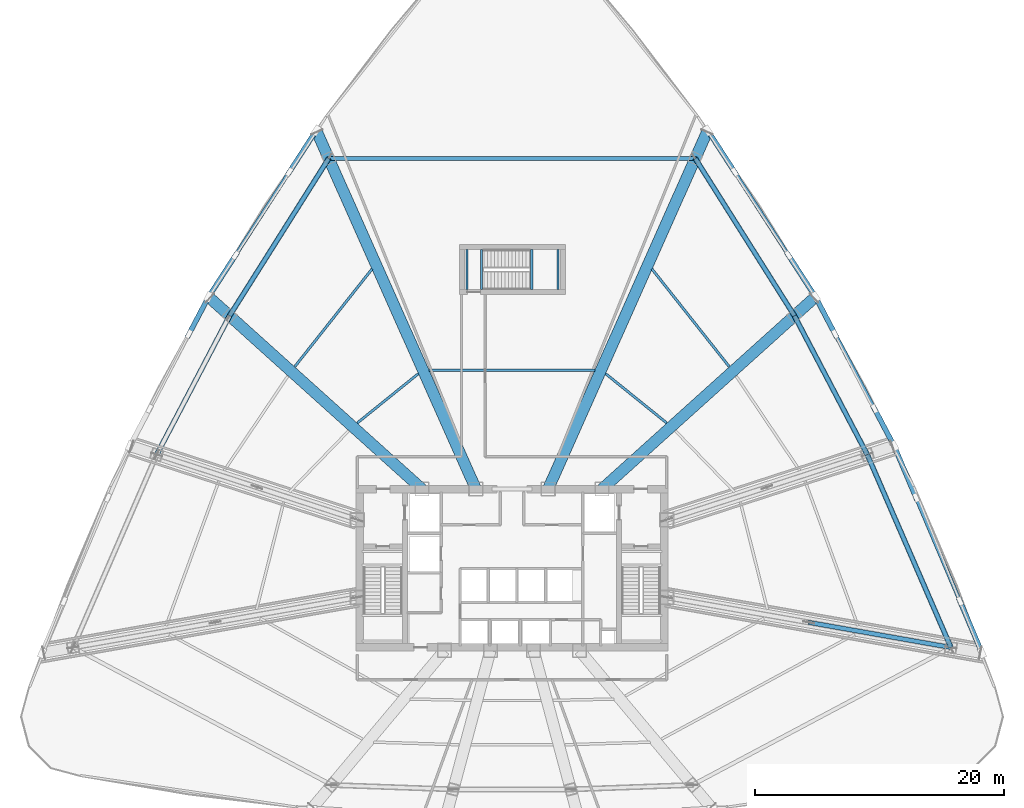
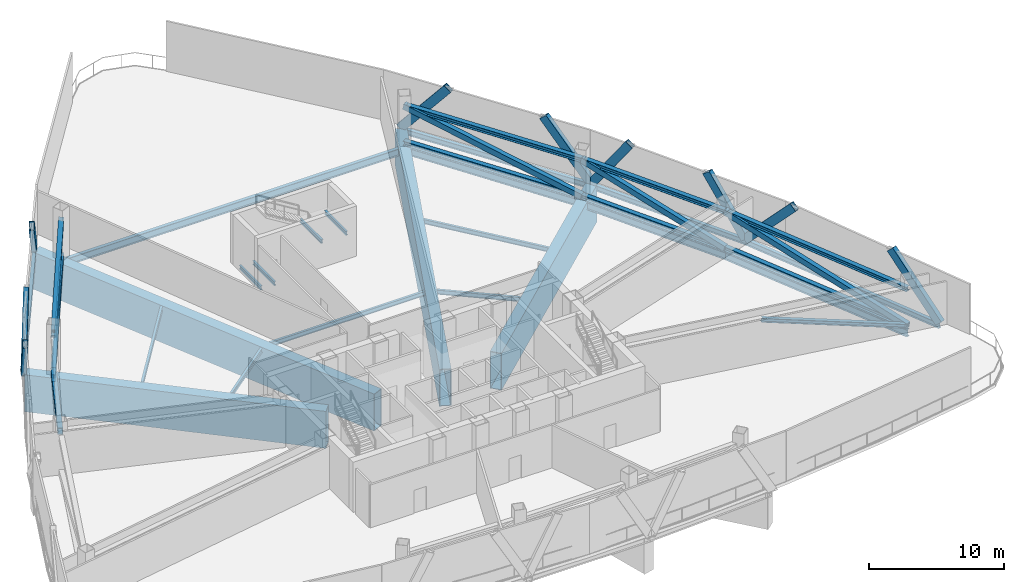
# One storey, part 3 of 17: 23 members, 22 beams.
"""IFC4 building model written with IfcOpenShell, lengths in metres."""

import ifcopenshell
import ifcopenshell.guid

model = None  # the IFC model being written
_history = None  # IfcOwnerHistory: only IFC2X3 demands one
_inside = {}  # id of a spatial element -> (the spatial element, [elements in it])
_under = {}  # id of a project, library or spatial element -> (it, [spatial elements below it])
_declared = {}  # id of a project -> (the project, [libraries it declares])
_typed = {}  # id of a type object -> (the type object, [elements of that type])
_made_of = {}  # id of a material, layer set ... -> (it, [elements and type objects made of it])


def new_model(schema):
    """Start an empty IFC model of exactly this schema.

    Asked for "IFC4X3", IfcOpenShell would pick the latest addendum, in which some entities
    have other attributes; the version numbers below select the first issue.
    IFC2X3 requires an IfcOwnerHistory on every rooted entity: one is made here for all.
    """
    global model, _history
    if schema == "IFC4X3":
        model = ifcopenshell.file(schema_version=(4, 3, 0, 0))
    else:
        model = ifcopenshell.file(schema=schema)
    _inside.clear()
    _under.clear()
    _declared.clear()
    _typed.clear()
    _made_of.clear()
    _history = None
    if model.schema == "IFC2X3":
        org = make("IfcOrganization", Name="unknown")
        user = make(
            "IfcPersonAndOrganization",
            ThePerson=make("IfcPerson", FamilyName="unknown"),
            TheOrganization=org,
        )
        app = make(
            "IfcApplication",
            ApplicationDeveloper=org,
            Version="unknown",
            ApplicationFullName="unknown",
            ApplicationIdentifier="unknown",
        )
        _history = make(
            "IfcOwnerHistory",
            OwningUser=user,
            OwningApplication=app,
            ChangeAction="ADDED",
            CreationDate=0,
        )
    return model


def make(cls, **values):
    """One entity of the class cls with the attributes given. An attribute that is None is left unset."""
    return model.create_entity(
        cls, **{name: value for name, value in values.items() if value is not None}
    )


def rooted(cls, **values):
    """An entity with a GlobalId (a new one), such as an element, a storey or a relation."""
    return make(cls, GlobalId=ifcopenshell.guid.new(), OwnerHistory=_history, **values)


def si_unit(unit_type, name, prefix=None):
    """IfcSIUnit, for example si_unit("LENGTHUNIT", "METRE", prefix="MILLI")."""
    return make("IfcSIUnit", UnitType=unit_type, Prefix=prefix, Name=name)


def assignment(units):
    """IfcUnitAssignment: the units of a project."""
    return None if units is None else make("IfcUnitAssignment", Units=units)


def point(xyz):
    """IfcCartesianPoint."""
    return None if xyz is None else make("IfcCartesianPoint", Coordinates=xyz)


def direction(xyz):
    """IfcDirection."""
    return None if xyz is None else make("IfcDirection", DirectionRatios=xyz)


def frame(location, z_axis=None, x_axis=None):
    """IfcAxis2Placement3D, a coordinate frame: its origin and axes. An axis left out is left unset."""
    return make(
        "IfcAxis2Placement3D",
        Location=point(location),
        Axis=direction(z_axis),
        RefDirection=direction(x_axis),
    )


def frame_2d(location, x_axis=None):
    """IfcAxis2Placement2D, a coordinate frame in the plane: its origin and x axis."""
    return make(
        "IfcAxis2Placement2D", Location=point(location), RefDirection=direction(x_axis)
    )


def origin():
    """The frame at (0, 0, 0) with its axes left unset."""
    return frame((0.0, 0.0, 0.0))


def origin_2d():
    """The frame at (0, 0) in the plane with its x axis left unset."""
    return frame_2d((0.0, 0.0))


def place(relative_to, where):
    """IfcLocalPlacement: puts the frame where relative to a parent placement (None: the world)."""
    return make(
        "IfcLocalPlacement", PlacementRelTo=relative_to, RelativePlacement=where
    )


def context(
    kind, dimensions, precision=None, world=None, true_north=None, identifier=None
):
    """IfcGeometricRepresentationContext, for example the 3D "Model" context."""
    return make(
        "IfcGeometricRepresentationContext",
        ContextIdentifier=identifier,
        ContextType=kind,
        CoordinateSpaceDimension=dimensions,
        Precision=precision,
        WorldCoordinateSystem=world,
        TrueNorth=true_north,
    )


def subcontext(parent, identifier, kind, view, scale=None):
    """IfcGeometricRepresentationSubContext, for example "Body" below "Model"."""
    return make(
        "IfcGeometricRepresentationSubContext",
        ContextIdentifier=identifier,
        ContextType=kind,
        ParentContext=parent,
        TargetScale=scale,
        TargetView=view,
    )


def project(units=None, contexts=None):
    """IfcProject with its units and contexts."""
    return rooted(
        "IfcProject",
        Name="project",
        RepresentationContexts=contexts,
        UnitsInContext=assignment(units),
    )


def spatial(cls, under=None, at=None, **own):
    """A site, building, storey or space (cls), placed at a placement, below another one or the project."""
    s = rooted(cls, ObjectPlacement=at, **own)
    if under is not None:
        _under.setdefault(under.id(), (under, []))[1].append(s)
    return s


def profile(cls, at=None, kind="AREA", **sizes):
    """A parametric profile (cls). Its sizes go by their IFC names, for example OverallWidth=200.0."""
    return make(cls, ProfileType=kind, Position=at, **sizes)


def hollow_rectangle(**sizes):
    """IfcRectangleHollowProfileDef."""
    return profile("IfcRectangleHollowProfileDef", **sizes)


def i_section(**sizes):
    """IfcIShapeProfileDef."""
    return profile("IfcIShapeProfileDef", **sizes)


def extrude(swept, where, along, depth):
    """IfcExtrudedAreaSolid: the profile swept, set in the frame where, extruded along a direction by depth."""
    return make(
        "IfcExtrudedAreaSolid",
        SweptArea=swept,
        Position=where,
        ExtrudedDirection=direction(along),
        Depth=depth,
    )


def shape(context_of_items, identifier, shape_type, items):
    """IfcShapeRepresentation: the items that make up one representation, for example the "Body"."""
    return make(
        "IfcShapeRepresentation",
        ContextOfItems=context_of_items,
        RepresentationIdentifier=identifier,
        RepresentationType=shape_type,
        Items=items,
    )


def source(mapping_origin, context_of_items, identifier, shape_type, items):
    """IfcRepresentationMap: a shape defined once, which mapped items show again and again."""
    return make(
        "IfcRepresentationMap",
        MappingOrigin=mapping_origin,
        MappedRepresentation=shape(context_of_items, identifier, shape_type, items),
    )


def transform(
    local_origin,
    x_axis=None,
    y_axis=None,
    z_axis=None,
    scale=None,
    scale2=None,
    scale3=None,
    uniform=True,
):
    """IfcCartesianTransformationOperator3D, or its non-uniform kind. x_axis, y_axis, z_axis: its Axis1, 2, 3."""
    if uniform:
        return make(
            "IfcCartesianTransformationOperator3D",
            Axis1=direction(x_axis),
            Axis2=direction(y_axis),
            LocalOrigin=point(local_origin),
            Scale=scale,
            Axis3=direction(z_axis),
        )
    return make(
        "IfcCartesianTransformationOperator3DnonUniform",
        Axis1=direction(x_axis),
        Axis2=direction(y_axis),
        LocalOrigin=point(local_origin),
        Scale=scale,
        Axis3=direction(z_axis),
        Scale2=scale2,
        Scale3=scale3,
    )


def mapped(mapping_source, mapping_target):
    """IfcMappedItem: shows the shape of a source again, moved by a transform."""
    return make(
        "IfcMappedItem", MappingSource=mapping_source, MappingTarget=mapping_target
    )


def material(Name=None, Category=None):
    """IfcMaterial."""
    return make("IfcMaterial", Name=Name, Category=Category)


def material_profile(
    of_material, cross_section, Name=None, Category=None, Priority=None
):
    """IfcMaterialProfile: a cross section and its material."""
    return make(
        "IfcMaterialProfile",
        Name=Name,
        Material=of_material,
        Profile=cross_section,
        Priority=Priority,
        Category=Category,
    )


def profile_set(profiles, Name=None, composite=None):
    """IfcMaterialProfileSet."""
    return make(
        "IfcMaterialProfileSet",
        Name=Name,
        MaterialProfiles=profiles,
        CompositeProfile=composite,
    )


def made_of(thing, what):
    """Note that an element or type object is made of a material, layer set ...; save() writes the relation."""
    if what is not None:
        _made_of.setdefault(what.id(), (what, []))[1].append(thing)
    return thing


def type_object(cls, material=None, **own):
    """A type object (cls), such as IfcWallType, which elements share."""
    return made_of(rooted(cls, **own), material)


def element(
    cls,
    number,
    at=None,
    inside=None,
    cuts=None,
    type_object=None,
    material=None,
    context=None,
    identifier="Body",
    shape_type=None,
    held_by="IfcProductDefinitionShape",
    body=None,
    shapes=None,
    **own,
):
    """One element of the class cls, such as IfcWall. Its Tag is "e" and its number.

    at: its placement. inside: the storey or other place that contains it. cuts: it is an
    opening in that element (IfcRelVoidsElement). A single representation is given by context,
    identifier, shape_type and body (its items); several are given by shapes. held_by: the class
    of the entity that holds the representations. save() writes the other relations.
    """
    e = rooted(cls, Tag="e%d" % number, ObjectPlacement=at, **own)
    if body is not None:
        shapes = [shape(context, identifier, shape_type, body)]
    if shapes is not None:
        e.Representation = make(held_by, Representations=shapes)
    if inside is not None:
        _inside.setdefault(inside.id(), (inside, []))[1].append(e)
    if cuts is not None:
        rooted(
            "IfcRelVoidsElement", RelatingBuildingElement=cuts, RelatedOpeningElement=e
        )
    if type_object is not None:
        _typed.setdefault(type_object.id(), (type_object, []))[1].append(e)
    return made_of(e, material)


def aggregate(whole, parts):
    """IfcRelAggregates: a whole, such as a stair, and the parts it consists of."""
    return rooted("IfcRelAggregates", RelatingObject=whole, RelatedObjects=parts)


def save(model, path):
    """Write the relations noted so far, then the file.

    IfcRelAggregates (storeys below a building ...), IfcRelContainedInSpatialStructure (elements
    in a storey), IfcRelDefinesByType, IfcRelAssociatesMaterial and IfcRelDeclares: one each for
    every whole, place, type object, material and project.
    """
    for whole, parts in _under.values():
        aggregate(whole, parts)
    for where, things in _inside.values():
        rooted(
            "IfcRelContainedInSpatialStructure",
            RelatedElements=things,
            RelatingStructure=where,
        )
    for kind, things in _typed.values():
        rooted("IfcRelDefinesByType", RelatedObjects=things, RelatingType=kind)
    for what, things in _made_of.values():
        rooted("IfcRelAssociatesMaterial", RelatedObjects=things, RelatingMaterial=what)
    for by, libraries in _declared.values():
        rooted("IfcRelDeclares", RelatingContext=by, RelatedDefinitions=libraries)
    model.write(path)


model = new_model("IFC4")

# Units and contexts
model_context = context("Model", 3, precision=1e-05, world=origin(), true_north=direction((0.0, 1.0)))
body_context = subcontext(model_context, "Body", "Model", "MODEL_VIEW")
ifc_project = project(units=[si_unit("LENGTHUNIT", "METRE"), si_unit("AREAUNIT", "SQUARE_METRE"), si_unit("VOLUMEUNIT", "CUBIC_METRE"), si_unit("PLANEANGLEUNIT", "RADIAN"), si_unit("MASSUNIT", "GRAM", prefix="KILO"), si_unit("THERMODYNAMICTEMPERATUREUNIT", "KELVIN"), si_unit("POWERUNIT", "WATT")], contexts=[model_context])

# Site, building, storey
site_placement = place(None, origin())
site = spatial("IfcSite", under=ifc_project, at=site_placement, CompositionType="ELEMENT")
building_placement = place(site_placement, origin())
building = spatial("IfcBuilding", under=site, at=building_placement, Name="Yunzhuo Pagoda Commons", CompositionType="ELEMENT")
storey_placement = place(building_placement, frame((0.0, 0.0, 176.159912109375)))
storey = spatial("IfcBuildingStorey", under=building, at=storey_placement, Name="L44", CompositionType="ELEMENT", Elevation=176.159912109375)

# Beams
ifc_material_1 = material(Name="Structural steel Q355B", Category="steel")
ifc_material_profile_1 = material_profile(ifc_material_1, i_section(OverallWidth=0.175048828125, OverallDepth=0.35009765625, WebThickness=0.007080078125, FlangeThickness=0.010986328125, at=origin_2d()), Name="Structural steel Q355B")
ifc_profile_set_1 = profile_set([ifc_material_profile_1], Name="Structural steel Q355B")
beam_type_1 = type_object("IfcBeamType", Name="B-JS2 Joist HN 350x175x7x11", PredefinedType="JOIST", material=ifc_profile_set_1)
shared_shape_1 = source(origin(), body_context, "Body", "SweptSolid", [
    extrude(i_section(OverallWidth=0.175048828125, OverallDepth=0.35009765625, WebThickness=0.007080078125, FlangeThickness=0.010986328125, at=origin_2d()), origin(), (0.0, 0.0, 1.0), 3.199951171875),
])
for number, where, z_axis, x_axis, name in (
    (1, (49.590087890625, 56.199951171875, 2.025146484375), (0.0, 1.0, 0.0), (-1.0, 0.0, 0.0), "L44 ST3 landing support beam 50A"),
    (2, (51.699951171875, 56.199951171875, 2.025146484375), (0.0, 1.0, 0.0), (-1.0, 0.0, 0.0), "L44 ST3 landing support beam 50B"),
    (3, (44.39990234375, 56.199951171875, -0.375), (0.0, 1.0, 0.0), (-1.0, 0.0, 0.0), "L44 ST3 landing support beam 118A"),
    (4, (45.550048828125, 56.199951171875, -0.375), (0.0, 1.0, 0.0), (-1.0, 0.0, 0.0), "L44 ST3 landing support beam 118B"),
):
    element("IfcBeam", number, at=place(storey_placement, frame(where, z_axis=z_axis, x_axis=x_axis)), inside=storey, type_object=beam_type_1, Name=name, PredefinedType="JOIST", context=body_context, shape_type="MappedRepresentation", body=[
        mapped(shared_shape_1, transform((0.0, 0.0, 0.0), scale=1.0)),
    ])
ifc_material_2 = material(Name="Structural steel Q420B", Category="steel")
ifc_material_profile_2 = material_profile(ifc_material_2, hollow_rectangle(XDim=0.89990234375, YDim=3.35009765625, WallThickness=0.048095703125, at=origin_2d()), Name="Structural steel Q420B")
ifc_profile_set_2 = profile_set([ifc_material_profile_2], Name="Structural steel Q420B")
beam_type_2 = type_object("IfcBeamType", Name="BTR-2 Beam BOX 3350x900x48", PredefinedType="BEAM", material=ifc_profile_set_2)
shared_shape_2 = source(origin(), body_context, "Body", "SweptSolid", [
    extrude(hollow_rectangle(XDim=0.89990234375, YDim=3.35009765625, WallThickness=0.048095703125, at=origin_2d()), origin(), (0.0, 0.0, 1.0), 22.87744140625),
])
for number, where, z_axis, x_axis, name in (
    (5, (72.22021484375, 55.508056640625, -1.954833984375), (-0.743141834846, -0.669133927776, 0.0), (0.669133927776, -0.743141834846, 0.0), "BTR-2 L44 collinear transfer girder F2C3"),
    (6, (23.77978515625, 55.508056640625, -1.954833984375), (0.743141834846, -0.669133927776, 0.0), (0.669133927776, 0.743141834846, 0.0), "BTR-2 L44 collinear transfer girder F3C2"),
):
    element("IfcBeam", number, at=place(storey_placement, frame(where, z_axis=z_axis, x_axis=x_axis)), inside=storey, type_object=beam_type_2, Name=name, PredefinedType="BEAM", context=body_context, shape_type="MappedRepresentation", body=[
        mapped(shared_shape_2, transform((0.0, 0.0, 0.0), scale=1.0)),
    ])
shared_shape_3 = source(origin(), body_context, "Body", "SweptSolid", [
    extrude(hollow_rectangle(XDim=0.89990234375, YDim=3.35009765625, WallThickness=0.048095703125, at=origin_2d()), origin(), (0.0, 0.0, 1.0), 31.328125),
])
beam_1_placement = place(storey_placement, frame((63.636474609375, 68.819580078125, -1.954833984375), z_axis=(-0.406740689306, -0.913543656134, 0.0), x_axis=(0.913543656134, -0.406740689306, 0.0)))
element("IfcBeam", 7, at=beam_1_placement, inside=storey, type_object=beam_type_2, Name="BTR-2 L44 collinear transfer girder F2C4", PredefinedType="BEAM", context=body_context, shape_type="MappedRepresentation", body=[
    mapped(shared_shape_3, transform((0.0, 0.0, 0.0), scale=1.0)),
])
shared_shape_4 = source(origin(), body_context, "Body", "SweptSolid", [
    extrude(hollow_rectangle(XDim=0.89990234375, YDim=3.35009765625, WallThickness=0.048095703125, at=origin_2d()), origin(), (0.0, 0.0, 1.0), 31.327880859375),
])
beam_2_placement = place(storey_placement, frame((32.364013671875, 68.819580078125, -1.954833984375), z_axis=(0.406727681678, -0.913549447461, 0.0), x_axis=(0.913549447461, 0.406727681678, 0.0)))
element("IfcBeam", 8, at=beam_2_placement, inside=storey, type_object=beam_type_2, Name="BTR-2 L44 collinear transfer girder F3C1", PredefinedType="BEAM", context=body_context, shape_type="MappedRepresentation", body=[
    mapped(shared_shape_4, transform((0.0, 0.0, 0.0), scale=1.0)),
])
ifc_material_profile_3 = material_profile(ifc_material_1, i_section(OverallWidth=0.300048828125, OverallDepth=0.488037109375, WebThickness=0.010986328125, FlangeThickness=0.01806640625, at=origin_2d()), Name="Structural steel Q355B")
ifc_profile_set_3 = profile_set([ifc_material_profile_3], Name="Structural steel Q355B")
beam_type_3 = type_object("IfcBeamType", Name="B-SP1 Beam HM 488x300x11x18", PredefinedType="BEAM", material=ifc_profile_set_3)
shared_shape_5 = source(origin(), body_context, "Body", "SweptSolid", [
    extrude(i_section(OverallWidth=0.300048828125, OverallDepth=0.488037109375, WebThickness=0.010986328125, FlangeThickness=0.01806640625, at=origin_2d()), origin(), (0.0, 0.0, 1.0), 18.037109375),
])
beam_3_placement = place(storey_placement, frame((85.6923828125, 27.0537109375, -0.52392578125), z_axis=(-0.390700353575, 0.920517916021, 0.0), x_axis=(-0.920517916021, -0.390700353575, 0.0)))
element("IfcBeam", 9, at=beam_3_placement, inside=storey, type_object=beam_type_3, Name="L44 facade edge spandrel beam F2.1", PredefinedType="BEAM", context=body_context, shape_type="MappedRepresentation", body=[
    mapped(shared_shape_5, transform((0.0, 0.0, 0.0), scale=1.0)),
])
shared_shape_6 = source(origin(), body_context, "Body", "SweptSolid", [
    extrude(i_section(OverallWidth=0.300048828125, OverallDepth=0.488037109375, WebThickness=0.010986328125, FlangeThickness=0.01806640625, at=origin_2d()), origin(), (0.0, 0.0, 1.0), 13.517578125),
])
beam_4_placement = place(storey_placement, frame((78.645263671875, 43.6572265625, -0.52392578125), z_axis=(-0.466784517215, 0.884371084154, 0.0), x_axis=(-0.884371084154, -0.466784517215, 0.0)))
element("IfcBeam", 10, at=beam_4_placement, inside=storey, type_object=beam_type_3, Name="L44 facade edge spandrel beam F2.2", PredefinedType="BEAM", context=body_context, shape_type="MappedRepresentation", body=[
    mapped(shared_shape_6, transform((0.0, 0.0, 0.0), scale=1.0)),
])
shared_shape_7 = source(origin(), body_context, "Body", "SweptSolid", [
    extrude(i_section(OverallWidth=0.300048828125, OverallDepth=0.488037109375, WebThickness=0.010986328125, FlangeThickness=0.01806640625, at=origin_2d()), origin(), (0.0, 0.0, 1.0), 15.899169921875),
])
for number, where, z_axis, x_axis, name in (
    (11, (72.33544921875, 55.61181640625, -0.52392578125), (-0.543169779139, 0.8396228862, 0.0), (-0.8396228862, -0.543169779139, 0.0), "L44 facade edge spandrel beam F2.3"),
    (12, (32.300537109375, 68.961181640625, -0.52392578125), (-0.543169779139, -0.8396228862, 0.0), (0.8396228862, -0.543169779139, 0.0), "L44 facade edge spandrel beam F3.1"),
):
    element("IfcBeam", number, at=place(storey_placement, frame(where, z_axis=z_axis, x_axis=x_axis)), inside=storey, type_object=beam_type_3, Name=name, PredefinedType="BEAM", context=body_context, shape_type="MappedRepresentation", body=[
        mapped(shared_shape_7, transform((0.0, 0.0, 0.0), scale=1.0)),
    ])
ifc_material_profile_4 = material_profile(ifc_material_1, i_section(OverallWidth=0.300048828125, OverallDepth=0.64990234375, WebThickness=0.012939453125, FlangeThickness=0.02197265625, at=origin_2d()), Name="Structural steel Q355B")
ifc_profile_set_4 = profile_set([ifc_material_profile_4], Name="Structural steel Q355B")
beam_type_4 = type_object("IfcBeamType", Name="B-RG2 Beam HN 650x300x13x22", PredefinedType="BEAM", material=ifc_profile_set_4)
shared_shape_8 = source(origin(), body_context, "Body", "SweptSolid", [
    extrude(i_section(OverallWidth=0.300048828125, OverallDepth=0.64990234375, WebThickness=0.012939453125, FlangeThickness=0.02197265625, at=origin_2d()), origin(), (0.0, 0.0, 1.0), 16.859619140625),
])
beam_5_placement = place(storey_placement, frame((83.20654296875, 27.492431640625, -0.60498046875), z_axis=(-0.398104384161, 0.917340121935, 0.0), x_axis=(-0.917340121935, -0.398104384161, 0.0)))
element("IfcBeam", 13, at=beam_5_placement, inside=storey, type_object=beam_type_4, Name="L44 column-ring beam 5", PredefinedType="BEAM", context=body_context, shape_type="MappedRepresentation", body=[
    mapped(shared_shape_8, transform((0.0, 0.0, 0.0), scale=1.0)),
])
shared_shape_9 = source(origin(), body_context, "Body", "SweptSolid", [
    extrude(i_section(OverallWidth=0.300048828125, OverallDepth=0.64990234375, WebThickness=0.012939453125, FlangeThickness=0.02197265625, at=origin_2d()), origin(), (0.0, 0.0, 1.0), 12.576416015625),
])
beam_6_placement = place(storey_placement, frame((76.49462890625, 42.95849609375, -0.60498046875), z_axis=(-0.464676385233, 0.885480579689, 0.0), x_axis=(-0.885480579689, -0.464676385233, 0.0)))
element("IfcBeam", 14, at=beam_6_placement, inside=storey, type_object=beam_type_4, Name="L44 column-ring beam 6", PredefinedType="BEAM", context=body_context, shape_type="MappedRepresentation", body=[
    mapped(shared_shape_9, transform((0.0, 0.0, 0.0), scale=1.0)),
])
shared_shape_10 = source(origin(), body_context, "Body", "SweptSolid", [
    extrude(i_section(OverallWidth=0.300048828125, OverallDepth=0.64990234375, WebThickness=0.012939453125, FlangeThickness=0.02197265625, at=origin_2d()), origin(), (0.0, 0.0, 1.0), 14.916015625),
])
for number, where, z_axis, x_axis, name in (
    (15, (70.650634765625, 54.0947265625, -0.60498046875), (-0.533092374013, 0.846057043449, 0.0), (-0.846057043449, -0.533092374013, 0.0), "L44 column-ring beam 7"),
    (16, (33.301025390625, 66.714599609375, -0.60498046875), (-0.533092374013, -0.846057043449, 0.0), (0.846057043449, -0.533092374013, 0.0), "L44 column-ring beam 9"),
):
    element("IfcBeam", number, at=place(storey_placement, frame(where, z_axis=z_axis, x_axis=x_axis)), inside=storey, type_object=beam_type_4, Name=name, PredefinedType="BEAM", context=body_context, shape_type="MappedRepresentation", body=[
        mapped(shared_shape_10, transform((0.0, 0.0, 0.0), scale=1.0)),
    ])
ifc_material_profile_5 = material_profile(ifc_material_1, i_section(OverallWidth=0.199951171875, OverallDepth=0.39990234375, WebThickness=0.008056640625, FlangeThickness=0.012939453125, at=origin_2d()), Name="Structural steel Q355B")
ifc_profile_set_5 = profile_set([ifc_material_profile_5], Name="Structural steel Q355B")
beam_type_5 = type_object("IfcBeamType", Name="B-JS1 Joist HN 400x200x8x13", PredefinedType="JOIST", material=ifc_profile_set_5)
shared_shape_11 = source(origin(), body_context, "Body", "SweptSolid", [
    extrude(i_section(OverallWidth=0.199951171875, OverallDepth=0.39990234375, WebThickness=0.008056640625, FlangeThickness=0.012939453125, at=origin_2d()), origin(), (0.0, 0.0, 1.0), 6.28125),
])
for number, where, z_axis, x_axis, name in (
    (17, (60.4033203125, 45.501708984375, -0.47998046875), (-0.778272101698, 0.627927173897, 0.0), (-0.627927173897, -0.778272101698, 0.0), "L44 composite ring joist 1.7"),
    (18, (40.485107421875, 49.44580078125, -0.47998046875), (-0.778272101698, -0.627927173897, 0.0), (0.627927173897, -0.778272101698, 0.0), "L44 composite ring joist 1.9"),
):
    element("IfcBeam", number, at=place(storey_placement, frame(where, z_axis=z_axis, x_axis=x_axis)), inside=storey, type_object=beam_type_5, Name=name, PredefinedType="JOIST", context=body_context, shape_type="MappedRepresentation", body=[
        mapped(shared_shape_11, transform((0.0, 0.0, 0.0), scale=1.0)),
    ])
shared_shape_12 = source(origin(), body_context, "Body", "SweptSolid", [
    extrude(i_section(OverallWidth=0.199951171875, OverallDepth=0.39990234375, WebThickness=0.008056640625, FlangeThickness=0.012939453125, at=origin_2d()), origin(), (0.0, 0.0, 1.0), 9.989501953125),
])
for number, where, z_axis, x_axis, name in (
    (19, (65.41650390625, 50.0224609375, -0.47998046875), (-0.620573355818, 0.784148397976, 0.0), (-0.784148397976, -0.620573355818, 0.0), "L44 composite ring joist 2.7"),
    (20, (36.78271484375, 57.855712890625, -0.47998046875), (-0.620573355818, -0.784148397976, 0.0), (0.784148397976, -0.620573355818, 0.0), "L44 composite ring joist 2.9"),
):
    element("IfcBeam", number, at=place(storey_placement, frame(where, z_axis=z_axis, x_axis=x_axis)), inside=storey, type_object=beam_type_5, Name=name, PredefinedType="JOIST", context=body_context, shape_type="MappedRepresentation", body=[
        mapped(shared_shape_12, transform((0.0, 0.0, 0.0), scale=1.0)),
    ])
shared_shape_13 = source(origin(), body_context, "Body", "SweptSolid", [
    extrude(i_section(OverallWidth=0.300048828125, OverallDepth=0.64990234375, WebThickness=0.012939453125, FlangeThickness=0.02197265625, at=origin_2d()), origin(), (0.0, 0.0, 1.0), 29.39794921875),
])
beam_7_placement = place(storey_placement, frame((62.698974609375, 66.714599609375, -0.60498046875), z_axis=(-1.0, 0.0, 0.0), x_axis=(0.0, -1.0, 0.0)))
element("IfcBeam", 21, at=beam_7_placement, inside=storey, type_object=beam_type_4, Name="L44 column-ring beam 8", PredefinedType="BEAM", context=body_context, shape_type="MappedRepresentation", body=[
    mapped(shared_shape_13, transform((0.0, 0.0, 0.0), scale=1.0)),
])
shared_shape_14 = source(origin(), body_context, "Body", "SweptSolid", [
    extrude(i_section(OverallWidth=0.199951171875, OverallDepth=0.39990234375, WebThickness=0.008056640625, FlangeThickness=0.012939453125, at=origin_2d()), origin(), (0.0, 0.0, 1.0), 13.33349609375),
])
beam_8_placement = place(storey_placement, frame((54.666748046875, 49.7451171875, -0.47998046875), z_axis=(-1.0, 0.0, 0.0), x_axis=(0.0, -1.0, 0.0)))
element("IfcBeam", 22, at=beam_8_placement, inside=storey, type_object=beam_type_5, Name="L44 composite ring joist 1.8", PredefinedType="JOIST", context=body_context, shape_type="MappedRepresentation", body=[
    mapped(shared_shape_14, transform((0.0, 0.0, 0.0), scale=1.0)),
])

# Members
ifc_material_profile_6 = material_profile(ifc_material_2, i_section(OverallWidth=0.35009765625, OverallDepth=0.35009765625, WebThickness=0.011962890625, FlangeThickness=0.01904296875, at=origin_2d()), Name="Structural steel Q420B")
ifc_profile_set_6 = profile_set([ifc_material_profile_6], Name="Structural steel Q420B")
member_type_1 = type_object("IfcMemberType", Name="M-OTB Brace HW 350x350x12x19", PredefinedType="BRACE", material=ifc_profile_set_6)
shared_shape_15 = source(origin(), body_context, "Body", "SweptSolid", [
    extrude(i_section(OverallWidth=0.35009765625, OverallDepth=0.35009765625, WebThickness=0.011962890625, FlangeThickness=0.01904296875, at=origin_2d()), origin(), (0.0, 0.0, 1.0), 12.045654296875),
])
member_1_placement = place(storey_placement, frame((71.80322265625, 29.5029296875, 3.39013671875), z_axis=(0.946670927382, -0.166905778175, -0.275602279493), x_axis=(0.173630170257, 0.984810928035, 0.0)))
element("IfcMember", 23, at=member_1_placement, inside=storey, type_object=member_type_1, Name="L44 outrigger diagonal brace F2C1B", PredefinedType="BRACE", context=body_context, shape_type="MappedRepresentation", body=[
    mapped(shared_shape_15, transform((0.0, 0.0, 0.0), scale=1.0)),
])
ifc_material_profile_7 = material_profile(ifc_material_2, i_section(OverallWidth=0.39990234375, OverallDepth=0.39990234375, WebThickness=0.012939453125, FlangeThickness=0.02099609375, at=origin_2d()), Name="Structural steel Q420B")
ifc_profile_set_7 = profile_set([ifc_material_profile_7], Name="Structural steel Q420B")
member_type_2 = type_object("IfcMemberType", Name="M-BTC Chord HW 400x400x13x21", PredefinedType="CHORD", material=ifc_profile_set_7)
shared_shape_16 = source(origin(), body_context, "Body", "SweptSolid", [
    extrude(i_section(OverallWidth=0.39990234375, OverallDepth=0.39990234375, WebThickness=0.012939453125, FlangeThickness=0.02099609375, at=origin_2d()), origin(), (0.0, 0.0, 1.0), 16.859619140625),
])
for number, where, z_axis, x_axis, name in (
    (24, (83.20654296875, 27.492431640625, 0.0703125), (-0.398104384161, 0.917340121935, 0.0), (-0.917340121935, -0.398104384161, 0.0), "L44 belt truss bottom chord 5"),
    (25, (83.20654296875, 27.492431640625, 3.39013671875), (-0.398104384161, 0.917340121935, 0.0), (-0.917340121935, -0.398104384161, 0.0), "L44 belt truss top chord 5"),
):
    element("IfcMember", number, at=place(storey_placement, frame(where, z_axis=z_axis, x_axis=x_axis)), inside=storey, type_object=member_type_2, Name=name, PredefinedType="CHORD", context=body_context, shape_type="MappedRepresentation", body=[
        mapped(shared_shape_16, transform((0.0, 0.0, 0.0), scale=1.0)),
    ])
ifc_material_profile_8 = material_profile(ifc_material_2, hollow_rectangle(XDim=0.39990234375, YDim=0.5, WallThickness=0.02392578125, at=origin_2d()), Name="Structural steel Q420B")
ifc_profile_set_8 = profile_set([ifc_material_profile_8], Name="Structural steel Q420B")
member_type_3 = type_object("IfcMemberType", Name="M-BTB Brace RHS 500x400x24", PredefinedType="BRACE", material=ifc_profile_set_8)
shared_shape_17 = source(origin(), body_context, "Body", "SweptSolid", [
    extrude(hollow_rectangle(XDim=0.39990234375, YDim=0.5, WallThickness=0.02392578125, at=origin_2d()), origin(), (0.0, 0.0, 1.0), 17.183349609375),
])
member_2_placement = place(storey_placement, frame((83.20654296875, 27.492431640625, 0.0703125), z_axis=(-0.390603920587, 0.900057026236, 0.193199189297), x_axis=(-0.917340121935, -0.398104384161, 0.0)))
element("IfcMember", 26, at=member_2_placement, inside=storey, type_object=member_type_3, Name="L44 belt truss diagonal brace 5A", PredefinedType="BRACE", context=body_context, shape_type="MappedRepresentation", body=[
    mapped(shared_shape_17, transform((0.0, 0.0, 0.0), scale=1.0)),
])
shared_shape_18 = source(origin(), body_context, "Body", "SweptSolid", [
    extrude(i_section(OverallWidth=0.39990234375, OverallDepth=0.39990234375, WebThickness=0.012939453125, FlangeThickness=0.02099609375, at=origin_2d()), origin(), (0.0, 0.0, 1.0), 12.576416015625),
])
for number, where, z_axis, x_axis, name in (
    (27, (76.49462890625, 42.95849609375, 0.0703125), (-0.464676385233, 0.885480579689, 0.0), (-0.885480579689, -0.464676385233, 0.0), "L44 belt truss bottom chord 6"),
    (28, (76.49462890625, 42.95849609375, 3.39013671875), (-0.464676385233, 0.885480579689, 0.0), (-0.885480579689, -0.464676385233, 0.0), "L44 belt truss top chord 6"),
):
    element("IfcMember", number, at=place(storey_placement, frame(where, z_axis=z_axis, x_axis=x_axis)), inside=storey, type_object=member_type_2, Name=name, PredefinedType="CHORD", context=body_context, shape_type="MappedRepresentation", body=[
        mapped(shared_shape_18, transform((0.0, 0.0, 0.0), scale=1.0)),
    ])
shared_shape_19 = source(origin(), body_context, "Body", "SweptSolid", [
    extrude(hollow_rectangle(XDim=0.39990234375, YDim=0.5, WallThickness=0.02392578125, at=origin_2d()), origin(), (0.0, 0.0, 1.0), 13.00732421875),
])
for number, where, z_axis, x_axis, name in (
    (29, (76.49462890625, 42.95849609375, 0.0703125), (-0.449286680742, 0.856154182034, 0.255228319536), (-0.885480579689, -0.464676385233, 0.0), "L44 belt truss diagonal brace 6A"),
    (30, (25.349365234375, 54.0947265625, 0.0703125), (-0.449286680742, -0.856154182034, 0.255228319536), (0.885480579689, -0.464676385233, 0.0), "L44 belt truss diagonal brace 10A"),
):
    element("IfcMember", number, at=place(storey_placement, frame(where, z_axis=z_axis, x_axis=x_axis)), inside=storey, type_object=member_type_3, Name=name, PredefinedType="BRACE", context=body_context, shape_type="MappedRepresentation", body=[
        mapped(shared_shape_19, transform((0.0, 0.0, 0.0), scale=1.0)),
    ])
shared_shape_20 = source(origin(), body_context, "Body", "SweptSolid", [
    extrude(i_section(OverallWidth=0.39990234375, OverallDepth=0.39990234375, WebThickness=0.012939453125, FlangeThickness=0.02099609375, at=origin_2d()), origin(), (0.0, 0.0, 1.0), 14.916015625),
])
for number, where, z_axis, x_axis, name in (
    (31, (70.650634765625, 54.0947265625, 0.0703125), (-0.533092374013, 0.846057043449, 0.0), (-0.846057043449, -0.533092374013, 0.0), "L44 belt truss bottom chord 7"),
    (32, (70.650634765625, 54.0947265625, 3.39013671875), (-0.533092374013, 0.846057043449, 0.0), (-0.846057043449, -0.533092374013, 0.0), "L44 belt truss top chord 7"),
    (33, (33.301025390625, 66.714599609375, 0.0703125), (-0.533092374013, -0.846057043449, 0.0), (0.846057043449, -0.533092374013, 0.0), "L44 belt truss bottom chord 9"),
    (34, (33.301025390625, 66.714599609375, 3.39013671875), (-0.533092374013, -0.846057043449, 0.0), (0.846057043449, -0.533092374013, 0.0), "L44 belt truss top chord 9"),
):
    element("IfcMember", number, at=place(storey_placement, frame(where, z_axis=z_axis, x_axis=x_axis)), inside=storey, type_object=member_type_2, Name=name, PredefinedType="CHORD", context=body_context, shape_type="MappedRepresentation", body=[
        mapped(shared_shape_20, transform((0.0, 0.0, 0.0), scale=1.0)),
    ])
shared_shape_21 = source(origin(), body_context, "Body", "SweptSolid", [
    extrude(hollow_rectangle(XDim=0.39990234375, YDim=0.5, WallThickness=0.02392578125, at=origin_2d()), origin(), (0.0, 0.0, 1.0), 15.281005859375),
])
for number, where, z_axis, x_axis, name in (
    (35, (70.650634765625, 54.0947265625, 0.0703125), (-0.520359914815, 0.825849688569, 0.217250663852), (-0.846057043449, -0.533092374013, 0.0), "L44 belt truss diagonal brace 7A"),
    (36, (33.301025390625, 66.714599609375, 0.0703125), (-0.520359914815, -0.825849688569, 0.217250663852), (0.846057043449, -0.533092374013, 0.0), "L44 belt truss diagonal brace 9A"),
):
    element("IfcMember", number, at=place(storey_placement, frame(where, z_axis=z_axis, x_axis=x_axis)), inside=storey, type_object=member_type_3, Name=name, PredefinedType="BRACE", context=body_context, shape_type="MappedRepresentation", body=[
        mapped(shared_shape_21, transform((0.0, 0.0, 0.0), scale=1.0)),
    ])
ifc_material_profile_9 = material_profile(ifc_material_1, hollow_rectangle(XDim=0.39990234375, YDim=0.719970703125, WallThickness=0.02392578125, at=origin_2d()), Name="Structural steel Q355B")
ifc_profile_set_9 = profile_set([ifc_material_profile_9], Name="Structural steel Q355B")
member_type_4 = type_object("IfcMemberType", Name="M-DL2 Brace BOX 720x400x24", PredefinedType="BRACE", material=ifc_profile_set_9)
shared_shape_22 = source(origin(), body_context, "Body", "SweptSolid", [
    extrude(hollow_rectangle(XDim=0.39990234375, YDim=0.719970703125, WallThickness=0.02392578125, at=origin_2d()), origin(), (0.0, 0.0, 1.0), 6.6005859375),
])
for number, where, z_axis, x_axis, name in (
    (37, (85.6923828125, 27.0537109375, -0.280029296875), (-0.266941499519, 0.628867864047, 0.730251631565), (-0.920503311686, -0.390734760642, 0.0), "L44 facade diamond brace F2.1L"),
    (38, (78.645263671875, 43.6572265625, -0.280029296875), (0.266907146808, -0.628874072898, 0.730258841384), (0.92052278395, 0.390688884189, 0.0), "L44 facade diamond brace F2.1R"),
):
    element("IfcMember", number, at=place(storey_placement, frame(where, z_axis=z_axis, x_axis=x_axis)), inside=storey, type_object=member_type_4, Name=name, PredefinedType="BRACE", context=body_context, shape_type="MappedRepresentation", body=[
        mapped(shared_shape_22, transform((0.0, 0.0, 0.0), scale=1.0)),
    ])
shared_shape_23 = source(origin(), body_context, "Body", "SweptSolid", [
    extrude(hollow_rectangle(XDim=0.39990234375, YDim=0.719970703125, WallThickness=0.02392578125, at=origin_2d()), origin(), (0.0, 0.0, 1.0), 5.88671875),
])
for number, where, z_axis, x_axis, name in (
    (39, (78.645263671875, 43.6572265625, -0.280029296875), (-0.268000020965, 0.507673824919, 0.818806006484), (-0.884340844363, -0.466841805103, 0.0), "L44 facade diamond brace F2.2L"),
    (40, (72.33544921875, 55.61181640625, -0.280029296875), (0.267955883791, -0.507710250638, 0.818797866227), (0.884386409568, 0.466755480495, 0.0), "L44 facade diamond brace F2.2R"),
    (41, (23.66455078125, 55.61181640625, -0.280029296875), (-0.267955883791, -0.507710250638, 0.818797866227), (0.884386409568, -0.466755480495, 0.0), "L44 facade diamond brace F3.2L"),
):
    element("IfcMember", number, at=place(storey_placement, frame(where, z_axis=z_axis, x_axis=x_axis)), inside=storey, type_object=member_type_4, Name=name, PredefinedType="BRACE", context=body_context, shape_type="MappedRepresentation", body=[
        mapped(shared_shape_23, transform((0.0, 0.0, 0.0), scale=1.0)),
    ])
shared_shape_24 = source(origin(), body_context, "Body", "SweptSolid", [
    extrude(hollow_rectangle(XDim=0.39990234375, YDim=0.719970703125, WallThickness=0.02392578125, at=origin_2d()), origin(), (0.0, 0.0, 1.0), 6.24755859375),
])
for number, where, z_axis, x_axis, name in (
    (42, (72.33544921875, 55.61181640625, -0.280029296875), (-0.345563223057, 0.534190801672, 0.771509070769), (-0.839634419332, -0.543151950999, 0.0), "L44 facade diamond brace F2.3L"),
    (43, (63.699462890625, 68.961181640625, -0.280029296875), (0.345563223057, -0.534190801672, 0.771509070769), (0.839634419332, 0.543151950999, 0.0), "L44 facade diamond brace F2.3R"),
    (44, (32.300537109375, 68.961181640625, -0.280029296875), (-0.345563223057, -0.534190801672, 0.771509070769), (0.839634419332, -0.543151950999, 0.0), "L44 facade diamond brace F3.1L"),
    (45, (23.66455078125, 55.61181640625, -0.280029296875), (0.345563223057, 0.534190801672, 0.771509070769), (-0.839634419332, 0.543151950999, 0.0), "L44 facade diamond brace F3.1R"),
):
    element("IfcMember", number, at=place(storey_placement, frame(where, z_axis=z_axis, x_axis=x_axis)), inside=storey, type_object=member_type_4, Name=name, PredefinedType="BRACE", context=body_context, shape_type="MappedRepresentation", body=[
        mapped(shared_shape_24, transform((0.0, 0.0, 0.0), scale=1.0)),
    ])

save(model, "model.ifc")
